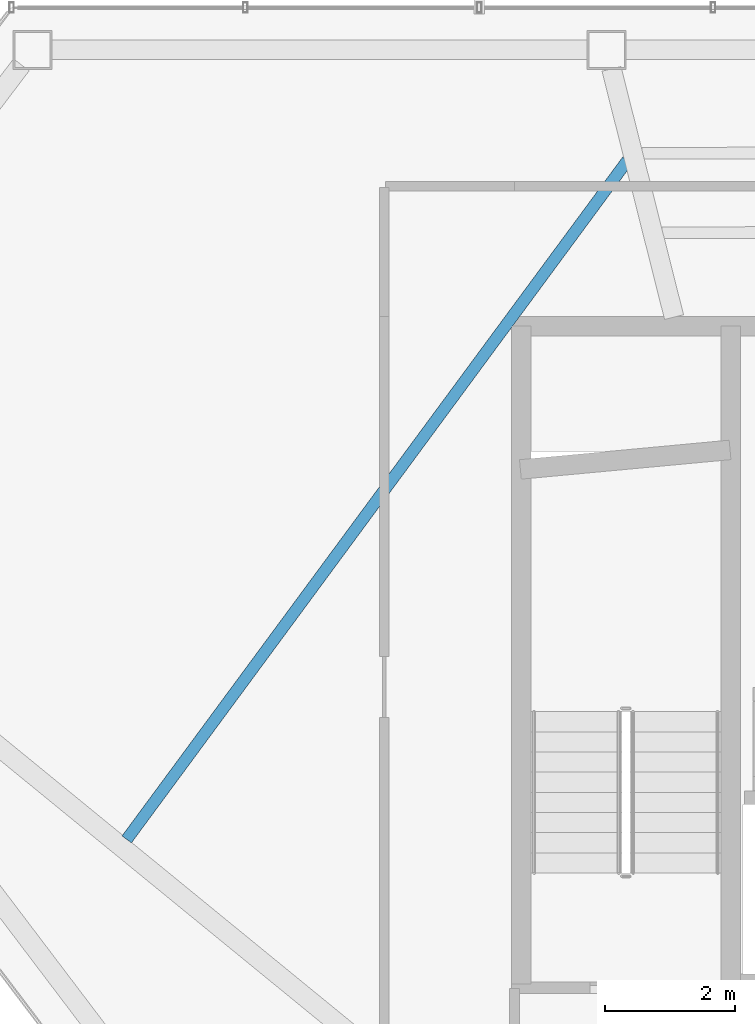
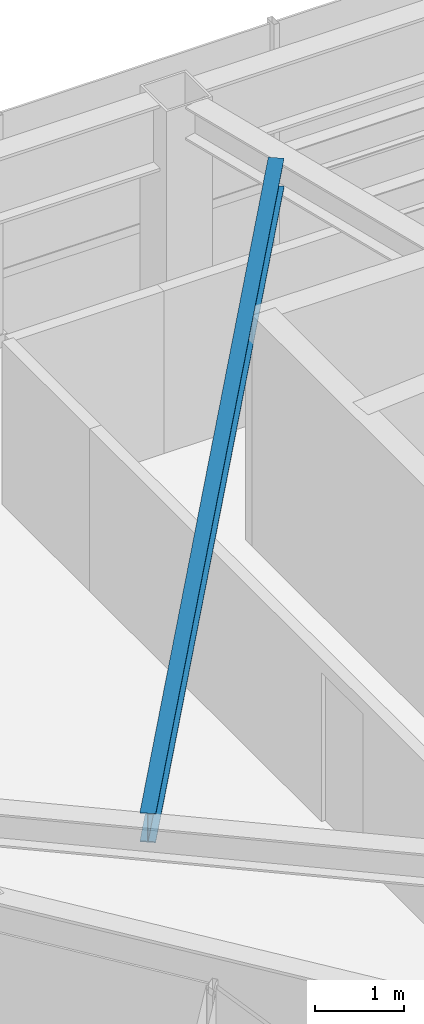
# One storey, part 11 of 28: 1 beam.
"""IFC4 building model written with IfcOpenShell, lengths in metres."""

from ifc_helpers import new_model, si_unit, direction, frame, origin, origin_2d, place, context, subcontext, project, spatial, i_section, extrude, material, material_profile, profile_set, type_object, element, save


model = new_model("IFC4")

# Units and contexts
model_context = context("Model", 3, precision=1e-05, world=origin(), true_north=direction((0.0, 1.0)))
body_context = subcontext(model_context, "Body", "Model", "MODEL_VIEW")
ifc_project = project(units=[si_unit("LENGTHUNIT", "METRE"), si_unit("AREAUNIT", "SQUARE_METRE"), si_unit("VOLUMEUNIT", "CUBIC_METRE"), si_unit("PLANEANGLEUNIT", "RADIAN"), si_unit("MASSUNIT", "GRAM", prefix="KILO")], contexts=[model_context])

# Site, building, storey
site_placement = place(None, origin())
site = spatial("IfcSite", under=ifc_project, at=site_placement, CompositionType="ELEMENT")
building_placement = place(site_placement, origin())
building = spatial("IfcBuilding", under=site, at=building_placement, Name="Zarrinselat Tower", CompositionType="ELEMENT")
storey_placement = place(building_placement, frame((0.0, 0.0, 218.9599609375)))
storey = spatial("IfcBuildingStorey", under=building, at=storey_placement, Name="L54", CompositionType="ELEMENT", Elevation=218.9599609375)

# Beam
ifc_material = material(Name="Steel S355J2", Category="steel")
ifc_material_profile = material_profile(ifc_material, i_section(OverallWidth=0.179931640625, OverallDepth=0.39990234375, WebThickness=0.008544921875, FlangeThickness=0.013427734375, at=origin_2d()), Name="IPE 400")
ifc_profile_set = profile_set([ifc_material_profile], Name="Steel S355J2")
beam_type = type_object("IfcBeamType", Name="BM-IPE400", PredefinedType="JOIST", material=ifc_profile_set)
beam_placement = place(storey_placement, frame((22.593505859375, 35.517822265625, 2.97998046875), z_axis=(0.593569915781, 0.804782427169, 0.0), x_axis=(-0.804782427169, 0.593569915781, 0.0)))
element("IfcBeam", 1, at=beam_placement, inside=storey, type_object=beam_type, Name="L54 Composite Floor Joist 9-1", PredefinedType="JOIST", context=body_context, shape_type="SweptSolid", body=[
    extrude(i_section(OverallWidth=0.179931640625, OverallDepth=0.39990234375, WebThickness=0.008544921875, FlangeThickness=0.013427734375, at=origin_2d()), origin(), (0.0, 0.0, 1.0), 12.9541015625),
])

save(model, "model.ifc")
